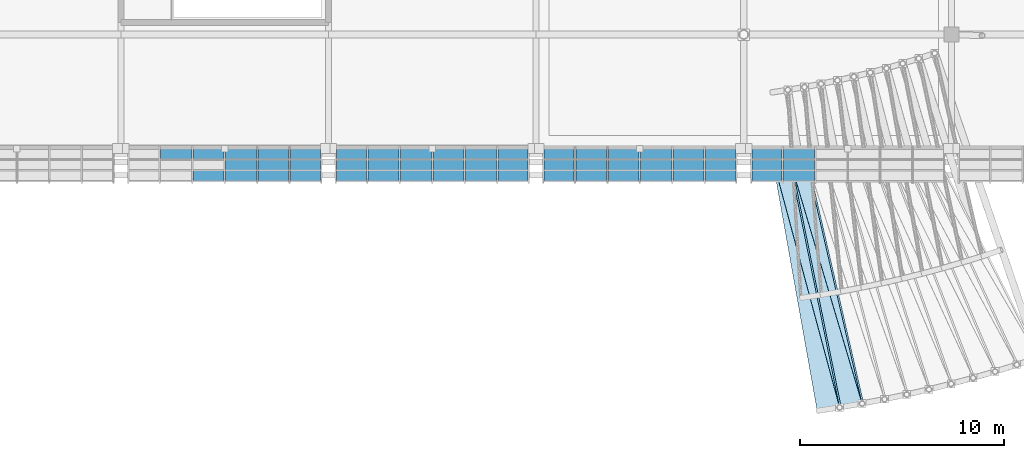
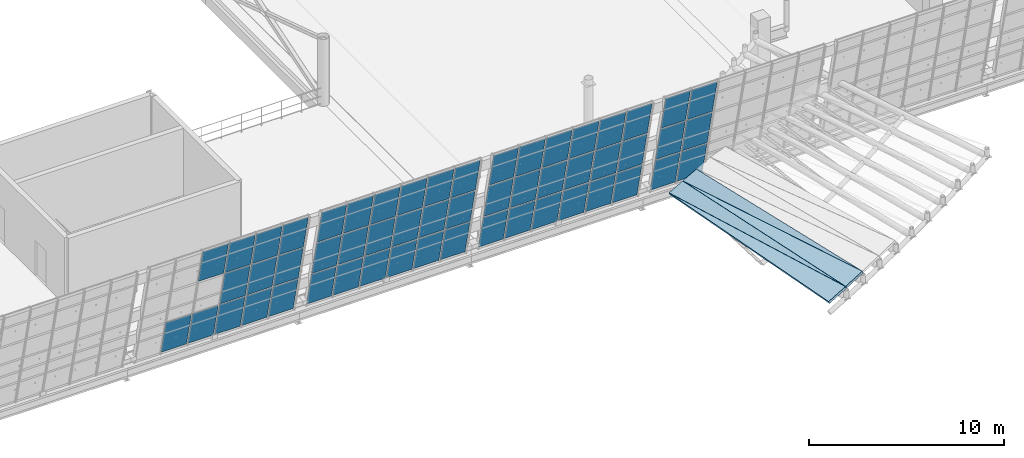
# One storey, part 110 of 157: 54 plates, 4 slabs, 4 elements without a shape of their own.
"""IFC4 building model written with IfcOpenShell, lengths in metres."""

from ifc_helpers import new_model, si_unit, direction, frame, origin, place, context, subcontext, project, spatial, polyline, outline, extrude, material, layer, layer_set, type_object, element, aggregate, save


model = new_model("IFC4")

# Units and contexts
model_context = context("Model", 3, precision=1e-05, world=origin(), true_north=direction((0.0, 1.0)))
body_context = subcontext(model_context, "Body", "Model", "MODEL_VIEW")
ifc_project = project(units=[si_unit("LENGTHUNIT", "METRE"), si_unit("AREAUNIT", "SQUARE_METRE"), si_unit("VOLUMEUNIT", "CUBIC_METRE"), si_unit("PLANEANGLEUNIT", "RADIAN"), si_unit("MASSUNIT", "GRAM", prefix="KILO")], contexts=[model_context])

# Site, building, storey
site_placement = place(None, origin())
site = spatial("IfcSite", under=ifc_project, at=site_placement, CompositionType="ELEMENT")
building_placement = place(site_placement, origin())
building = spatial("IfcBuilding", under=site, at=building_placement, Name="Brelvane Convention Centre", CompositionType="ELEMENT")
storey_placement = place(building_placement, frame((0.0, 0.0, 10.800048828125)))
storey = spatial("IfcBuildingStorey", under=building, at=storey_placement, Name="L02", CompositionType="ELEMENT", Elevation=10.800048828125)

# Curtain wall, plates
ifc_material_1 = material(Name="Anodised Aluminium Alloy 6063-T6", Category="aluminium")
curtain_wall_type = type_object("IfcCurtainWallType", Name="Curtain Wall CW-HULL-S", PredefinedType="USERDEFINED", material=ifc_material_1)
curtain_wall_1_placement = place(storey_placement, origin())
curtain_wall_1 = element("IfcCurtainWall", 1, at=curtain_wall_1_placement, inside=storey, type_object=curtain_wall_type, Name="Curtain Wall CW-HULL-S L02-HULL-S-L02-13", ObjectType="UNITISED", PredefinedType="USERDEFINED")
ifc_material_2 = material(Name="Double Glazed Low-E Laminated Unit")
ifc_layer_1 = layer(ifc_material_2, 0.0380859375)
ifc_layer_set_1 = layer_set([ifc_layer_1], Name="Double Glazed Low-E Laminated Unit")
plate_type_1 = type_object("IfcPlateType", Name="Curtain Panel CW-PG2", PredefinedType="CURTAIN_PANEL", material=ifc_layer_set_1)
plate_1_placement = place(storey_placement, frame((125.94677734375, 12.51953125, 4.606689453125), z_axis=(0.0, 0.973586933466, 0.228316628794), x_axis=(1.0, 0.0, 0.0)))
plate_1 = element("IfcPlate", 2, at=plate_1_placement, type_object=plate_type_1, Name="CW-HULL-S panel 3.3", PredefinedType="CURTAIN_PANEL", context=body_context, shape_type="SweptSolid", body=[
    extrude(outline(polyline([(0.0, 0.0), (1.51318359375, 0.0), (1.51318359375, -2.2220204521674902), (0.0, -2.2220204521674902), (0.0, 0.0)])), origin(), (0.0, 0.0, -1.0), 0.0380859375),
])
plate_2_placement = place(storey_placement, frame((127.5400390625, 13.05517578125, 2.3232421875), z_axis=(0.0, 0.973573977576, 0.228371868203), x_axis=(1.0, 0.0, 0.0)))
plate_2 = element("IfcPlate", 3, at=plate_2_placement, type_object=plate_type_1, Name="CW-HULL-S panel 4.2", PredefinedType="CURTAIN_PANEL", context=body_context, shape_type="SweptSolid", body=[
    extrude(outline(polyline([(0.0, 0.0), (1.51318359375, 0.0), (1.51318359375, -2.2631758771022032), (0.0, -2.2631758771022032), (0.0, 0.0)])), origin(), (0.0, 0.0, -1.0), 0.0380859375),
])
plate_3_placement = place(storey_placement, frame((127.5400390625, 12.51953125, 4.606689453125), z_axis=(0.0, 0.973586933466, 0.228316628794), x_axis=(1.0, 0.0, 0.0)))
plate_3 = element("IfcPlate", 4, at=plate_3_placement, type_object=plate_type_1, Name="CW-HULL-S panel 4.3", PredefinedType="CURTAIN_PANEL", context=body_context, shape_type="SweptSolid", body=[
    extrude(outline(polyline([(0.0, 0.0), (1.51318359375, 0.0), (1.51318359375, -2.2220204521674902), (0.0, -2.2220204521674902), (0.0, 0.0)])), origin(), (0.0, 0.0, -1.0), 0.0380859375),
])
plate_4_placement = place(storey_placement, frame((129.13330078125, 13.05517578125, 2.3232421875), z_axis=(0.0, 0.973573977576, 0.228371868203), x_axis=(1.0, 0.0, 0.0)))
plate_4 = element("IfcPlate", 5, at=plate_4_placement, type_object=plate_type_1, Name="CW-HULL-S panel 5.2", PredefinedType="CURTAIN_PANEL", context=body_context, shape_type="SweptSolid", body=[
    extrude(outline(polyline([(0.0, 0.0), (1.513427734375, 0.0), (1.513427734375, -2.2631758771022032), (0.0, -2.2631758771022032), (0.0, 0.0)])), origin(), (0.0, 0.0, -1.0), 0.0380859375),
])
plate_5_placement = place(storey_placement, frame((129.13330078125, 12.51953125, 4.606689453125), z_axis=(0.0, 0.973586933466, 0.228316628794), x_axis=(1.0, 0.0, 0.0)))
plate_5 = element("IfcPlate", 6, at=plate_5_placement, type_object=plate_type_1, Name="CW-HULL-S panel 5.3", PredefinedType="CURTAIN_PANEL", context=body_context, shape_type="SweptSolid", body=[
    extrude(outline(polyline([(0.0, 0.0), (1.513427734375, 0.0), (1.513427734375, -2.2220204521674902), (0.0, -2.2220204521674902), (0.0, 0.0)])), origin(), (0.0, 0.0, -1.0), 0.0380859375),
])
plate_6_placement = place(storey_placement, frame((130.7265625, 13.05517578125, 2.3232421875), z_axis=(0.0, 0.973573977576, 0.228371868203), x_axis=(1.0, 0.0, 0.0)))
plate_6 = element("IfcPlate", 7, at=plate_6_placement, type_object=plate_type_1, Name="CW-HULL-S panel 6.2", PredefinedType="CURTAIN_PANEL", context=body_context, shape_type="SweptSolid", body=[
    extrude(outline(polyline([(0.0, 0.0), (1.473388671875, 0.0), (1.473388671875, -2.2631758771022032), (0.0, -2.2631758771022032), (0.0, 0.0)])), origin(), (0.0, 0.0, -1.0), 0.0380859375),
])
plate_7_placement = place(storey_placement, frame((130.7265625, 12.51953125, 4.606689453125), z_axis=(0.0, 0.973586933466, 0.228316628794), x_axis=(1.0, 0.0, 0.0)))
plate_7 = element("IfcPlate", 8, at=plate_7_placement, type_object=plate_type_1, Name="CW-HULL-S panel 6.3", PredefinedType="CURTAIN_PANEL", context=body_context, shape_type="SweptSolid", body=[
    extrude(outline(polyline([(0.0, 0.0), (1.473388671875, 0.0), (1.473388671875, -2.2220204521674902), (0.0, -2.2220204521674902), (0.0, 0.0)])), origin(), (0.0, 0.0, -1.0), 0.0380859375),
])

curtain_wall_2_placement = place(storey_placement, origin())
curtain_wall_2 = element("IfcCurtainWall", 9, at=curtain_wall_2_placement, inside=storey, type_object=curtain_wall_type, Name="Curtain Wall CW-HULL-S L02-HULL-S-L02-14", ObjectType="UNITISED", PredefinedType="USERDEFINED")
plate_8_placement = place(storey_placement, frame((133.0, 13.05517578125, 2.3232421875), z_axis=(0.0, 0.973573977576, 0.228371868203), x_axis=(1.0, 0.0, 0.0)))
plate_8 = element("IfcPlate", 10, at=plate_8_placement, type_object=plate_type_1, Name="CW-HULL-S panel 1.2", PredefinedType="CURTAIN_PANEL", context=body_context, shape_type="SweptSolid", body=[
    extrude(outline(polyline([(0.0, 0.0), (1.473388671875, 0.0), (1.473388671875, -2.2631758771022032), (0.0, -2.2631758771022032), (0.0, 0.0)])), origin(), (0.0, 0.0, -1.0), 0.0380859375),
])
plate_9_placement = place(storey_placement, frame((133.0, 12.51953125, 4.606689453125), z_axis=(0.0, 0.973586933466, 0.228316628794), x_axis=(1.0, 0.0, 0.0)))
plate_9 = element("IfcPlate", 11, at=plate_9_placement, type_object=plate_type_1, Name="CW-HULL-S panel 1.3", PredefinedType="CURTAIN_PANEL", context=body_context, shape_type="SweptSolid", body=[
    extrude(outline(polyline([(0.0, 0.0), (1.473388671875, 0.0), (1.473388671875, -2.2220204521674902), (0.0, -2.2220204521674902), (0.0, 0.0)])), origin(), (0.0, 0.0, -1.0), 0.0380859375),
])
plate_10_placement = place(storey_placement, frame((134.55322265625, 13.05517578125, 2.3232421875), z_axis=(0.0, 0.973573977576, 0.228371868203), x_axis=(1.0, 0.0, 0.0)))
plate_10 = element("IfcPlate", 12, at=plate_10_placement, type_object=plate_type_1, Name="CW-HULL-S panel 2.2", PredefinedType="CURTAIN_PANEL", context=body_context, shape_type="SweptSolid", body=[
    extrude(outline(polyline([(0.0, 0.0), (1.513427734375, 0.0), (1.513427734375, -2.2631758771022032), (0.0, -2.2631758771022032), (0.0, 0.0)])), origin(), (0.0, 0.0, -1.0), 0.0380859375),
])
plate_11_placement = place(storey_placement, frame((134.55322265625, 12.51953125, 4.606689453125), z_axis=(0.0, 0.973586933466, 0.228316628794), x_axis=(1.0, 0.0, 0.0)))
plate_11 = element("IfcPlate", 13, at=plate_11_placement, type_object=plate_type_1, Name="CW-HULL-S panel 2.3", PredefinedType="CURTAIN_PANEL", context=body_context, shape_type="SweptSolid", body=[
    extrude(outline(polyline([(0.0, 0.0), (1.513427734375, 0.0), (1.513427734375, -2.2220204521674902), (0.0, -2.2220204521674902), (0.0, 0.0)])), origin(), (0.0, 0.0, -1.0), 0.0380859375),
])
plate_12_placement = place(storey_placement, frame((136.146728515625, 13.05517578125, 2.3232421875), z_axis=(0.0, 0.973573977576, 0.228371868203), x_axis=(1.0, 0.0, 0.0)))
plate_12 = element("IfcPlate", 14, at=plate_12_placement, type_object=plate_type_1, Name="CW-HULL-S panel 3.2", PredefinedType="CURTAIN_PANEL", context=body_context, shape_type="SweptSolid", body=[
    extrude(outline(polyline([(0.0, 0.0), (1.51318359375, 0.0), (1.51318359375, -2.2631758771022032), (0.0, -2.2631758771022032), (0.0, 0.0)])), origin(), (0.0, 0.0, -1.0), 0.0380859375),
])
plate_13_placement = place(storey_placement, frame((136.146728515625, 12.51953125, 4.606689453125), z_axis=(0.0, 0.973586933466, 0.228316628794), x_axis=(1.0, 0.0, 0.0)))
plate_13 = element("IfcPlate", 15, at=plate_13_placement, type_object=plate_type_1, Name="CW-HULL-S panel 3.3", PredefinedType="CURTAIN_PANEL", context=body_context, shape_type="SweptSolid", body=[
    extrude(outline(polyline([(0.0, 0.0), (1.51318359375, 0.0), (1.51318359375, -2.2220204521674902), (0.0, -2.2220204521674902), (0.0, 0.0)])), origin(), (0.0, 0.0, -1.0), 0.0380859375),
])
plate_14_placement = place(storey_placement, frame((137.739990234375, 13.05517578125, 2.3232421875), z_axis=(0.0, 0.973573977576, 0.228371868203), x_axis=(1.0, 0.0, 0.0)))
plate_14 = element("IfcPlate", 16, at=plate_14_placement, type_object=plate_type_1, Name="CW-HULL-S panel 4.2", PredefinedType="CURTAIN_PANEL", context=body_context, shape_type="SweptSolid", body=[
    extrude(outline(polyline([(0.0, 0.0), (1.513427734375, 0.0), (1.513427734375, -2.2631758771022032), (0.0, -2.2631758771022032), (0.0, 0.0)])), origin(), (0.0, 0.0, -1.0), 0.0380859375),
])
plate_15_placement = place(storey_placement, frame((137.739990234375, 12.51953125, 4.606689453125), z_axis=(0.0, 0.973586933466, 0.228316628794), x_axis=(1.0, 0.0, 0.0)))
plate_15 = element("IfcPlate", 17, at=plate_15_placement, type_object=plate_type_1, Name="CW-HULL-S panel 4.3", PredefinedType="CURTAIN_PANEL", context=body_context, shape_type="SweptSolid", body=[
    extrude(outline(polyline([(0.0, 0.0), (1.513427734375, 0.0), (1.513427734375, -2.2220204521674902), (0.0, -2.2220204521674902), (0.0, 0.0)])), origin(), (0.0, 0.0, -1.0), 0.0380859375),
])
plate_16_placement = place(storey_placement, frame((139.333251953125, 13.05517578125, 2.3232421875), z_axis=(0.0, 0.973573977576, 0.228371868203), x_axis=(1.0, 0.0, 0.0)))
plate_16 = element("IfcPlate", 18, at=plate_16_placement, type_object=plate_type_1, Name="CW-HULL-S panel 5.2", PredefinedType="CURTAIN_PANEL", context=body_context, shape_type="SweptSolid", body=[
    extrude(outline(polyline([(0.0, 0.0), (1.513427734375, 0.0), (1.513427734375, -2.2631758771022032), (0.0, -2.2631758771022032), (0.0, 0.0)])), origin(), (0.0, 0.0, -1.0), 0.0380859375),
])
plate_17_placement = place(storey_placement, frame((139.333251953125, 12.51953125, 4.606689453125), z_axis=(0.0, 0.973586933466, 0.228316628794), x_axis=(1.0, 0.0, 0.0)))
plate_17 = element("IfcPlate", 19, at=plate_17_placement, type_object=plate_type_1, Name="CW-HULL-S panel 5.3", PredefinedType="CURTAIN_PANEL", context=body_context, shape_type="SweptSolid", body=[
    extrude(outline(polyline([(0.0, 0.0), (1.513427734375, 0.0), (1.513427734375, -2.2220204521674902), (0.0, -2.2220204521674902), (0.0, 0.0)])), origin(), (0.0, 0.0, -1.0), 0.0380859375),
])
plate_18_placement = place(storey_placement, frame((140.9267578125, 13.05517578125, 2.3232421875), z_axis=(0.0, 0.973573977576, 0.228371868203), x_axis=(1.0, 0.0, 0.0)))
plate_18 = element("IfcPlate", 20, at=plate_18_placement, type_object=plate_type_1, Name="CW-HULL-S panel 6.2", PredefinedType="CURTAIN_PANEL", context=body_context, shape_type="SweptSolid", body=[
    extrude(outline(polyline([(0.0, 0.0), (1.47314453125, 0.0), (1.47314453125, -2.2631758771022032), (0.0, -2.2631758771022032), (0.0, 0.0)])), origin(), (0.0, 0.0, -1.0), 0.0380859375),
])
plate_19_placement = place(storey_placement, frame((140.9267578125, 12.51953125, 4.606689453125), z_axis=(0.0, 0.973586933466, 0.228316628794), x_axis=(1.0, 0.0, 0.0)))
plate_19 = element("IfcPlate", 21, at=plate_19_placement, type_object=plate_type_1, Name="CW-HULL-S panel 6.3", PredefinedType="CURTAIN_PANEL", context=body_context, shape_type="SweptSolid", body=[
    extrude(outline(polyline([(0.0, 0.0), (1.47314453125, 0.0), (1.47314453125, -2.2220204521674902), (0.0, -2.2220204521674902), (0.0, 0.0)])), origin(), (0.0, 0.0, -1.0), 0.0380859375),
])

curtain_wall_3_placement = place(storey_placement, origin())
curtain_wall_3 = element("IfcCurtainWall", 22, at=curtain_wall_3_placement, inside=storey, type_object=curtain_wall_type, Name="Curtain Wall CW-HULL-S L02-HULL-S-L02-15", ObjectType="UNITISED", PredefinedType="USERDEFINED")
plate_20_placement = place(storey_placement, frame((143.199951171875, 13.05517578125, 2.3232421875), z_axis=(0.0, 0.973573977576, 0.228371868203), x_axis=(1.0, 0.0, 0.0)))
plate_20 = element("IfcPlate", 23, at=plate_20_placement, type_object=plate_type_1, Name="CW-HULL-S panel 1.2", PredefinedType="CURTAIN_PANEL", context=body_context, shape_type="SweptSolid", body=[
    extrude(outline(polyline([(0.0, 0.0), (1.473388671875, 0.0), (1.473388671875, -2.2631758771022032), (0.0, -2.2631758771022032), (0.0, 0.0)])), origin(), (0.0, 0.0, -1.0), 0.0380859375),
])
plate_21_placement = place(storey_placement, frame((143.199951171875, 12.51953125, 4.606689453125), z_axis=(0.0, 0.973586933466, 0.228316628794), x_axis=(1.0, 0.0, 0.0)))
plate_21 = element("IfcPlate", 24, at=plate_21_placement, type_object=plate_type_1, Name="CW-HULL-S panel 1.3", PredefinedType="CURTAIN_PANEL", context=body_context, shape_type="SweptSolid", body=[
    extrude(outline(polyline([(0.0, 0.0), (1.473388671875, 0.0), (1.473388671875, -2.2220204521674902), (0.0, -2.2220204521674902), (0.0, 0.0)])), origin(), (0.0, 0.0, -1.0), 0.0380859375),
])
plate_22_placement = place(storey_placement, frame((144.75341796875, 13.05517578125, 2.3232421875), z_axis=(0.0, 0.973573977576, 0.228371868203), x_axis=(1.0, 0.0, 0.0)))
plate_22 = element("IfcPlate", 25, at=plate_22_placement, type_object=plate_type_1, Name="CW-HULL-S panel 2.2", PredefinedType="CURTAIN_PANEL", context=body_context, shape_type="SweptSolid", body=[
    extrude(outline(polyline([(0.0, 0.0), (1.51318359375, 0.0), (1.51318359375, -2.2631758771022032), (0.0, -2.2631758771022032), (0.0, 0.0)])), origin(), (0.0, 0.0, -1.0), 0.0380859375),
])
plate_23_placement = place(storey_placement, frame((144.75341796875, 12.51953125, 4.606689453125), z_axis=(0.0, 0.973586933466, 0.228316628794), x_axis=(1.0, 0.0, 0.0)))
plate_23 = element("IfcPlate", 26, at=plate_23_placement, type_object=plate_type_1, Name="CW-HULL-S panel 2.3", PredefinedType="CURTAIN_PANEL", context=body_context, shape_type="SweptSolid", body=[
    extrude(outline(polyline([(0.0, 0.0), (1.51318359375, 0.0), (1.51318359375, -2.2220204521674902), (0.0, -2.2220204521674902), (0.0, 0.0)])), origin(), (0.0, 0.0, -1.0), 0.0380859375),
])
plate_24_placement = place(storey_placement, frame((146.3466796875, 13.05517578125, 2.3232421875), z_axis=(0.0, 0.973573977576, 0.228371868203), x_axis=(1.0, 0.0, 0.0)))
plate_24 = element("IfcPlate", 27, at=plate_24_placement, type_object=plate_type_1, Name="CW-HULL-S panel 3.2", PredefinedType="CURTAIN_PANEL", context=body_context, shape_type="SweptSolid", body=[
    extrude(outline(polyline([(0.0, 0.0), (1.513427734375, 0.0), (1.513427734375, -2.2631758771022032), (0.0, -2.2631758771022032), (0.0, 0.0)])), origin(), (0.0, 0.0, -1.0), 0.0380859375),
])
plate_25_placement = place(storey_placement, frame((146.3466796875, 12.51953125, 4.606689453125), z_axis=(0.0, 0.973586933466, 0.228316628794), x_axis=(1.0, 0.0, 0.0)))
plate_25 = element("IfcPlate", 28, at=plate_25_placement, type_object=plate_type_1, Name="CW-HULL-S panel 3.3", PredefinedType="CURTAIN_PANEL", context=body_context, shape_type="SweptSolid", body=[
    extrude(outline(polyline([(0.0, 0.0), (1.513427734375, 0.0), (1.513427734375, -2.2220204521674902), (0.0, -2.2220204521674902), (0.0, 0.0)])), origin(), (0.0, 0.0, -1.0), 0.0380859375),
])
plate_26_placement = place(storey_placement, frame((147.93994140625, 13.05517578125, 2.3232421875), z_axis=(0.0, 0.973573977576, 0.228371868203), x_axis=(1.0, 0.0, 0.0)))
plate_26 = element("IfcPlate", 29, at=plate_26_placement, type_object=plate_type_1, Name="CW-HULL-S panel 4.2", PredefinedType="CURTAIN_PANEL", context=body_context, shape_type="SweptSolid", body=[
    extrude(outline(polyline([(0.0, 0.0), (1.513427734375, 0.0), (1.513427734375, -2.2631758771022032), (0.0, -2.2631758771022032), (0.0, 0.0)])), origin(), (0.0, 0.0, -1.0), 0.0380859375),
])
plate_27_placement = place(storey_placement, frame((147.93994140625, 12.51953125, 4.606689453125), z_axis=(0.0, 0.973586933466, 0.228316628794), x_axis=(1.0, 0.0, 0.0)))
plate_27 = element("IfcPlate", 30, at=plate_27_placement, type_object=plate_type_1, Name="CW-HULL-S panel 4.3", PredefinedType="CURTAIN_PANEL", context=body_context, shape_type="SweptSolid", body=[
    extrude(outline(polyline([(0.0, 0.0), (1.513427734375, 0.0), (1.513427734375, -2.2220204521674902), (0.0, -2.2220204521674902), (0.0, 0.0)])), origin(), (0.0, 0.0, -1.0), 0.0380859375),
])
plate_28_placement = place(storey_placement, frame((149.533447265625, 13.05517578125, 2.3232421875), z_axis=(0.0, 0.973573977576, 0.228371868203), x_axis=(1.0, 0.0, 0.0)))
plate_28 = element("IfcPlate", 31, at=plate_28_placement, type_object=plate_type_1, Name="CW-HULL-S panel 5.2", PredefinedType="CURTAIN_PANEL", context=body_context, shape_type="SweptSolid", body=[
    extrude(outline(polyline([(0.0, 0.0), (1.51318359375, 0.0), (1.51318359375, -2.2631758771022032), (0.0, -2.2631758771022032), (0.0, 0.0)])), origin(), (0.0, 0.0, -1.0), 0.0380859375),
])
plate_29_placement = place(storey_placement, frame((149.533447265625, 12.51953125, 4.606689453125), z_axis=(0.0, 0.973586933466, 0.228316628794), x_axis=(1.0, 0.0, 0.0)))
plate_29 = element("IfcPlate", 32, at=plate_29_placement, type_object=plate_type_1, Name="CW-HULL-S panel 5.3", PredefinedType="CURTAIN_PANEL", context=body_context, shape_type="SweptSolid", body=[
    extrude(outline(polyline([(0.0, 0.0), (1.51318359375, 0.0), (1.51318359375, -2.2220204521674902), (0.0, -2.2220204521674902), (0.0, 0.0)])), origin(), (0.0, 0.0, -1.0), 0.0380859375),
])
plate_30_placement = place(storey_placement, frame((151.126708984375, 13.05517578125, 2.3232421875), z_axis=(0.0, 0.973573977576, 0.228371868203), x_axis=(1.0, 0.0, 0.0)))
plate_30 = element("IfcPlate", 33, at=plate_30_placement, type_object=plate_type_1, Name="CW-HULL-S panel 6.2", PredefinedType="CURTAIN_PANEL", context=body_context, shape_type="SweptSolid", body=[
    extrude(outline(polyline([(0.0, 0.0), (1.473388671875, 0.0), (1.473388671875, -2.2631758771022032), (0.0, -2.2631758771022032), (0.0, 0.0)])), origin(), (0.0, 0.0, -1.0), 0.0380859375),
])
plate_31_placement = place(storey_placement, frame((151.126708984375, 12.51953125, 4.606689453125), z_axis=(0.0, 0.973586933466, 0.228316628794), x_axis=(1.0, 0.0, 0.0)))
plate_31 = element("IfcPlate", 34, at=plate_31_placement, type_object=plate_type_1, Name="CW-HULL-S panel 6.3", PredefinedType="CURTAIN_PANEL", context=body_context, shape_type="SweptSolid", body=[
    extrude(outline(polyline([(0.0, 0.0), (1.473388671875, 0.0), (1.473388671875, -2.2220204521674902), (0.0, -2.2220204521674902), (0.0, 0.0)])), origin(), (0.0, 0.0, -1.0), 0.0380859375),
])

curtain_wall_4_placement = place(storey_placement, origin())
curtain_wall_4 = element("IfcCurtainWall", 35, at=curtain_wall_4_placement, inside=storey, type_object=curtain_wall_type, Name="Curtain Wall CW-HULL-S L02-HULL-S-L02-16", ObjectType="UNITISED", PredefinedType="USERDEFINED")
plate_32_placement = place(storey_placement, frame((153.39990234375, 13.05517578125, 2.3232421875), z_axis=(0.0, 0.973573977576, 0.228371868203), x_axis=(1.0, 0.0, 0.0)))
plate_32 = element("IfcPlate", 36, at=plate_32_placement, type_object=plate_type_1, Name="CW-HULL-S panel 1.2", PredefinedType="CURTAIN_PANEL", context=body_context, shape_type="SweptSolid", body=[
    extrude(outline(polyline([(0.0, 0.0), (1.473388671875, 0.0), (1.473388671875, -2.2631758771022032), (0.0, -2.2631758771022032), (0.0, 0.0)])), origin(), (0.0, 0.0, -1.0), 0.0380859375),
])
plate_33_placement = place(storey_placement, frame((153.39990234375, 12.51953125, 4.606689453125), z_axis=(0.0, 0.973586933466, 0.228316628794), x_axis=(1.0, 0.0, 0.0)))
plate_33 = element("IfcPlate", 37, at=plate_33_placement, type_object=plate_type_1, Name="CW-HULL-S panel 1.3", PredefinedType="CURTAIN_PANEL", context=body_context, shape_type="SweptSolid", body=[
    extrude(outline(polyline([(0.0, 0.0), (1.473388671875, 0.0), (1.473388671875, -2.2220204521674902), (0.0, -2.2220204521674902), (0.0, 0.0)])), origin(), (0.0, 0.0, -1.0), 0.0380859375),
])
plate_34_placement = place(storey_placement, frame((154.953369140625, 13.05517578125, 2.3232421875), z_axis=(0.0, 0.973573977576, 0.228371868203), x_axis=(1.0, 0.0, 0.0)))
plate_34 = element("IfcPlate", 38, at=plate_34_placement, type_object=plate_type_1, Name="CW-HULL-S panel 2.2", PredefinedType="CURTAIN_PANEL", context=body_context, shape_type="SweptSolid", body=[
    extrude(outline(polyline([(0.0, 0.0), (1.51318359375, 0.0), (1.51318359375, -2.2631758771022032), (0.0, -2.2631758771022032), (0.0, 0.0)])), origin(), (0.0, 0.0, -1.0), 0.0380859375),
])
plate_35_placement = place(storey_placement, frame((154.953369140625, 12.51953125, 4.606689453125), z_axis=(0.0, 0.973586933466, 0.228316628794), x_axis=(1.0, 0.0, 0.0)))
plate_35 = element("IfcPlate", 39, at=plate_35_placement, type_object=plate_type_1, Name="CW-HULL-S panel 2.3", PredefinedType="CURTAIN_PANEL", context=body_context, shape_type="SweptSolid", body=[
    extrude(outline(polyline([(0.0, 0.0), (1.51318359375, 0.0), (1.51318359375, -2.2220204521674902), (0.0, -2.2220204521674902), (0.0, 0.0)])), origin(), (0.0, 0.0, -1.0), 0.0380859375),
])

# Plate
ifc_material_3 = material(Name="Patinated Copper-Bronze Alloy C22000")
ifc_layer_2 = layer(ifc_material_3, 0.055908203125)
ifc_layer_set_2 = layer_set([ifc_layer_2], Name="Patinated Copper-Bronze Alloy C22000")
plate_type_2 = type_object("IfcPlateType", Name="Curtain Panel CW-PS2", PredefinedType="CURTAIN_PANEL", material=ifc_layer_set_2)
plate_36_placement = place(storey_placement, frame((124.353271484375, 13.581298828125, 0.079833984375), z_axis=(0.0, 0.973562505213, 0.228420770606), x_axis=(1.0, 0.0, 0.0)))
plate_36 = element("IfcPlate", 40, at=plate_36_placement, type_object=plate_type_2, Name="CW-HULL-S panel 2.1", PredefinedType="CURTAIN_PANEL", context=body_context, shape_type="SweptSolid", body=[
    extrude(outline(polyline([(0.0, 0.0), (1.513427734375, 0.0), (1.513427734375, -2.2220762062447244), (0.0, -2.2220762062447244), (0.0, 0.0)])), origin(), (0.0, 0.0, -1.0), 0.0380859375),
])

plate_37_placement = place(storey_placement, frame((125.94677734375, 13.581298828125, 0.079833984375), z_axis=(0.0, 0.973562505213, 0.228420770606), x_axis=(1.0, 0.0, 0.0)))
plate_37 = element("IfcPlate", 41, at=plate_37_placement, type_object=plate_type_2, Name="CW-HULL-S panel 3.1", PredefinedType="CURTAIN_PANEL", context=body_context, shape_type="SweptSolid", body=[
    extrude(outline(polyline([(0.0, 0.0), (1.51318359375, 0.0), (1.51318359375, -2.2220762062447244), (0.0, -2.2220762062447244), (0.0, 0.0)])), origin(), (0.0, 0.0, -1.0), 0.0380859375),
])

plate_38_placement = place(storey_placement, frame((127.5400390625, 13.581298828125, 0.079833984375), z_axis=(0.0, 0.973562505213, 0.228420770606), x_axis=(1.0, 0.0, 0.0)))
plate_38 = element("IfcPlate", 42, at=plate_38_placement, type_object=plate_type_2, Name="CW-HULL-S panel 4.1", PredefinedType="CURTAIN_PANEL", context=body_context, shape_type="SweptSolid", body=[
    extrude(outline(polyline([(0.0, 0.0), (1.51318359375, 0.0), (1.51318359375, -2.2220762062447244), (0.0, -2.2220762062447244), (0.0, 0.0)])), origin(), (0.0, 0.0, -1.0), 0.0380859375),
])

plate_39_placement = place(storey_placement, frame((129.13330078125, 13.581298828125, 0.079833984375), z_axis=(0.0, 0.973562505213, 0.228420770606), x_axis=(1.0, 0.0, 0.0)))
plate_39 = element("IfcPlate", 43, at=plate_39_placement, type_object=plate_type_2, Name="CW-HULL-S panel 5.1", PredefinedType="CURTAIN_PANEL", context=body_context, shape_type="SweptSolid", body=[
    extrude(outline(polyline([(0.0, 0.0), (1.513427734375, 0.0), (1.513427734375, -2.2220762062447244), (0.0, -2.2220762062447244), (0.0, 0.0)])), origin(), (0.0, 0.0, -1.0), 0.0380859375),
])

plate_40_placement = place(storey_placement, frame((130.7265625, 13.581298828125, 0.079833984375), z_axis=(0.0, 0.973562505213, 0.228420770606), x_axis=(1.0, 0.0, 0.0)))
plate_40 = element("IfcPlate", 44, at=plate_40_placement, type_object=plate_type_2, Name="CW-HULL-S panel 6.1", PredefinedType="CURTAIN_PANEL", context=body_context, shape_type="SweptSolid", body=[
    extrude(outline(polyline([(0.0, 0.0), (1.473388671875, 0.0), (1.473388671875, -2.222076206244725), (0.0, -2.222076206244725), (0.0, 0.0)])), origin(), (0.0, 0.0, -1.0), 0.0380859375),
])

aggregate(curtain_wall_1, [plate_36, plate_37, plate_1, plate_38, plate_2, plate_3, plate_39, plate_4, plate_5, plate_40, plate_6, plate_7])

plate_41_placement = place(storey_placement, frame((133.0, 13.581298828125, 0.079833984375), z_axis=(0.0, 0.973562505213, 0.228420770606), x_axis=(1.0, 0.0, 0.0)))
plate_41 = element("IfcPlate", 45, at=plate_41_placement, type_object=plate_type_2, Name="CW-HULL-S panel 1.1", PredefinedType="CURTAIN_PANEL", context=body_context, shape_type="SweptSolid", body=[
    extrude(outline(polyline([(0.0, 0.0), (1.473388671875, 0.0), (1.473388671875, -2.222076206244725), (0.0, -2.222076206244725), (0.0, 0.0)])), origin(), (0.0, 0.0, -1.0), 0.0380859375),
])

plate_42_placement = place(storey_placement, frame((134.55322265625, 13.581298828125, 0.079833984375), z_axis=(0.0, 0.973562505213, 0.228420770606), x_axis=(1.0, 0.0, 0.0)))
plate_42 = element("IfcPlate", 46, at=plate_42_placement, type_object=plate_type_2, Name="CW-HULL-S panel 2.1", PredefinedType="CURTAIN_PANEL", context=body_context, shape_type="SweptSolid", body=[
    extrude(outline(polyline([(0.0, 0.0), (1.513427734375, 0.0), (1.513427734375, -2.2220762062447244), (0.0, -2.2220762062447244), (0.0, 0.0)])), origin(), (0.0, 0.0, -1.0), 0.0380859375),
])

plate_43_placement = place(storey_placement, frame((136.146728515625, 13.581298828125, 0.079833984375), z_axis=(0.0, 0.973562505213, 0.228420770606), x_axis=(1.0, 0.0, 0.0)))
plate_43 = element("IfcPlate", 47, at=plate_43_placement, type_object=plate_type_2, Name="CW-HULL-S panel 3.1", PredefinedType="CURTAIN_PANEL", context=body_context, shape_type="SweptSolid", body=[
    extrude(outline(polyline([(0.0, 0.0), (1.51318359375, 0.0), (1.51318359375, -2.2220762062447244), (0.0, -2.2220762062447244), (0.0, 0.0)])), origin(), (0.0, 0.0, -1.0), 0.0380859375),
])

plate_44_placement = place(storey_placement, frame((137.739990234375, 13.581298828125, 0.079833984375), z_axis=(0.0, 0.973562505213, 0.228420770606), x_axis=(1.0, 0.0, 0.0)))
plate_44 = element("IfcPlate", 48, at=plate_44_placement, type_object=plate_type_2, Name="CW-HULL-S panel 4.1", PredefinedType="CURTAIN_PANEL", context=body_context, shape_type="SweptSolid", body=[
    extrude(outline(polyline([(0.0, 0.0), (1.513427734375, 0.0), (1.513427734375, -2.2220762062447244), (0.0, -2.2220762062447244), (0.0, 0.0)])), origin(), (0.0, 0.0, -1.0), 0.0380859375),
])

plate_45_placement = place(storey_placement, frame((139.333251953125, 13.581298828125, 0.079833984375), z_axis=(0.0, 0.973562505213, 0.228420770606), x_axis=(1.0, 0.0, 0.0)))
plate_45 = element("IfcPlate", 49, at=plate_45_placement, type_object=plate_type_2, Name="CW-HULL-S panel 5.1", PredefinedType="CURTAIN_PANEL", context=body_context, shape_type="SweptSolid", body=[
    extrude(outline(polyline([(0.0, 0.0), (1.513427734375, 0.0), (1.513427734375, -2.2220762062447244), (0.0, -2.2220762062447244), (0.0, 0.0)])), origin(), (0.0, 0.0, -1.0), 0.0380859375),
])

plate_46_placement = place(storey_placement, frame((140.9267578125, 13.581298828125, 0.079833984375), z_axis=(0.0, 0.973562505213, 0.228420770606), x_axis=(1.0, 0.0, 0.0)))
plate_46 = element("IfcPlate", 50, at=plate_46_placement, type_object=plate_type_2, Name="CW-HULL-S panel 6.1", PredefinedType="CURTAIN_PANEL", context=body_context, shape_type="SweptSolid", body=[
    extrude(outline(polyline([(0.0, 0.0), (1.47314453125, 0.0), (1.47314453125, -2.222076206244725), (0.0, -2.222076206244725), (0.0, 0.0)])), origin(), (0.0, 0.0, -1.0), 0.0380859375),
])

aggregate(curtain_wall_2, [plate_41, plate_8, plate_9, plate_42, plate_10, plate_11, plate_43, plate_12, plate_13, plate_44, plate_14, plate_15, plate_45, plate_16, plate_17, plate_46, plate_18, plate_19])

plate_47_placement = place(storey_placement, frame((143.199951171875, 13.581298828125, 0.079833984375), z_axis=(0.0, 0.973562505213, 0.228420770606), x_axis=(1.0, 0.0, 0.0)))
plate_47 = element("IfcPlate", 51, at=plate_47_placement, type_object=plate_type_2, Name="CW-HULL-S panel 1.1", PredefinedType="CURTAIN_PANEL", context=body_context, shape_type="SweptSolid", body=[
    extrude(outline(polyline([(0.0, 0.0), (1.473388671875, 0.0), (1.473388671875, -2.222076206244725), (0.0, -2.222076206244725), (0.0, 0.0)])), origin(), (0.0, 0.0, -1.0), 0.0380859375),
])

plate_48_placement = place(storey_placement, frame((144.75341796875, 13.581298828125, 0.079833984375), z_axis=(0.0, 0.973562505213, 0.228420770606), x_axis=(1.0, 0.0, 0.0)))
plate_48 = element("IfcPlate", 52, at=plate_48_placement, type_object=plate_type_2, Name="CW-HULL-S panel 2.1", PredefinedType="CURTAIN_PANEL", context=body_context, shape_type="SweptSolid", body=[
    extrude(outline(polyline([(0.0, 0.0), (1.51318359375, 0.0), (1.51318359375, -2.2220762062447244), (0.0, -2.2220762062447244), (0.0, 0.0)])), origin(), (0.0, 0.0, -1.0), 0.0380859375),
])

plate_49_placement = place(storey_placement, frame((146.3466796875, 13.581298828125, 0.079833984375), z_axis=(0.0, 0.973562505213, 0.228420770606), x_axis=(1.0, 0.0, 0.0)))
plate_49 = element("IfcPlate", 53, at=plate_49_placement, type_object=plate_type_2, Name="CW-HULL-S panel 3.1", PredefinedType="CURTAIN_PANEL", context=body_context, shape_type="SweptSolid", body=[
    extrude(outline(polyline([(0.0, 0.0), (1.513427734375, 0.0), (1.513427734375, -2.2220762062447244), (0.0, -2.2220762062447244), (0.0, 0.0)])), origin(), (0.0, 0.0, -1.0), 0.0380859375),
])

plate_50_placement = place(storey_placement, frame((147.93994140625, 13.581298828125, 0.079833984375), z_axis=(0.0, 0.973562505213, 0.228420770606), x_axis=(1.0, 0.0, 0.0)))
plate_50 = element("IfcPlate", 54, at=plate_50_placement, type_object=plate_type_2, Name="CW-HULL-S panel 4.1", PredefinedType="CURTAIN_PANEL", context=body_context, shape_type="SweptSolid", body=[
    extrude(outline(polyline([(0.0, 0.0), (1.513427734375, 0.0), (1.513427734375, -2.2220762062447244), (0.0, -2.2220762062447244), (0.0, 0.0)])), origin(), (0.0, 0.0, -1.0), 0.0380859375),
])

plate_51_placement = place(storey_placement, frame((149.533447265625, 13.581298828125, 0.079833984375), z_axis=(0.0, 0.973562505213, 0.228420770606), x_axis=(1.0, 0.0, 0.0)))
plate_51 = element("IfcPlate", 55, at=plate_51_placement, type_object=plate_type_2, Name="CW-HULL-S panel 5.1", PredefinedType="CURTAIN_PANEL", context=body_context, shape_type="SweptSolid", body=[
    extrude(outline(polyline([(0.0, 0.0), (1.51318359375, 0.0), (1.51318359375, -2.2220762062447244), (0.0, -2.2220762062447244), (0.0, 0.0)])), origin(), (0.0, 0.0, -1.0), 0.0380859375),
])

plate_52_placement = place(storey_placement, frame((151.126708984375, 13.581298828125, 0.079833984375), z_axis=(0.0, 0.973562505213, 0.228420770606), x_axis=(1.0, 0.0, 0.0)))
plate_52 = element("IfcPlate", 56, at=plate_52_placement, type_object=plate_type_2, Name="CW-HULL-S panel 6.1", PredefinedType="CURTAIN_PANEL", context=body_context, shape_type="SweptSolid", body=[
    extrude(outline(polyline([(0.0, 0.0), (1.473388671875, 0.0), (1.473388671875, -2.222076206244725), (0.0, -2.222076206244725), (0.0, 0.0)])), origin(), (0.0, 0.0, -1.0), 0.0380859375),
])

aggregate(curtain_wall_3, [plate_47, plate_20, plate_21, plate_48, plate_22, plate_23, plate_49, plate_24, plate_25, plate_50, plate_26, plate_27, plate_51, plate_28, plate_29, plate_52, plate_30, plate_31])

plate_53_placement = place(storey_placement, frame((153.39990234375, 13.581298828125, 0.079833984375), z_axis=(0.0, 0.973562505213, 0.228420770606), x_axis=(1.0, 0.0, 0.0)))
plate_53 = element("IfcPlate", 57, at=plate_53_placement, type_object=plate_type_2, Name="CW-HULL-S panel 1.1", PredefinedType="CURTAIN_PANEL", context=body_context, shape_type="SweptSolid", body=[
    extrude(outline(polyline([(0.0, 0.0), (1.473388671875, 0.0), (1.473388671875, -2.222076206244725), (0.0, -2.222076206244725), (0.0, 0.0)])), origin(), (0.0, 0.0, -1.0), 0.0380859375),
])

plate_54_placement = place(storey_placement, frame((154.953369140625, 13.581298828125, 0.079833984375), z_axis=(0.0, 0.973562505213, 0.228420770606), x_axis=(1.0, 0.0, 0.0)))
plate_54 = element("IfcPlate", 58, at=plate_54_placement, type_object=plate_type_2, Name="CW-HULL-S panel 2.1", PredefinedType="CURTAIN_PANEL", context=body_context, shape_type="SweptSolid", body=[
    extrude(outline(polyline([(0.0, 0.0), (1.51318359375, 0.0), (1.51318359375, -2.2220762062447244), (0.0, -2.2220762062447244), (0.0, 0.0)])), origin(), (0.0, 0.0, -1.0), 0.0380859375),
])

aggregate(curtain_wall_4, [plate_53, plate_32, plate_33, plate_54, plate_34, plate_35])

# Slabs
ifc_material_4 = material(Name="Steel E350 (350 MPa)", Category="steel")
ifc_layer_3 = layer(ifc_material_4, 0.159912109375)
ifc_layer_set_3 = layer_set([ifc_layer_3], Name="Steel E350 (350 MPa)")
slab_type = type_object("IfcSlabType", Name="Structural Slab SL-ROOF-CN-160", PredefinedType="ROOF", material=ifc_layer_set_3)
slab_1_placement = place(storey_placement, frame((155.991455078125, 13.3056640625, 0.64111328125), z_axis=(-0.487857969527, -0.11242232056, 0.865653408362), x_axis=(0.224654195851, -0.97443855058, 5.8564702e-05)))
element("IfcSlab", 59, at=slab_1_placement, inside=storey, type_object=slab_type, Name="Boulevard Sweeping Canopy Roof Panel 11A", PredefinedType="ROOF", context=body_context, shape_type="SweptSolid", body=[
    extrude(outline(polyline([(0.0, 0.0), (12.506200037183955, 5.479557779741739e-16), (-0.1834926186308235, -0.907989143233112), (0.0, 0.0)])), origin(), (0.0, 0.0, -1.0), 0.159912109375),
])
slab_2_placement = place(storey_placement, frame((158.796142578125, 1.117431640625, 0.6396484375), z_axis=(-0.372025745976, -0.075795507691, 0.925122632598), x_axis=(-0.9118844527, -0.156328872423, -0.379510248308)))
element("IfcSlab", 60, at=slab_2_placement, inside=storey, type_object=slab_type, Name="Boulevard Sweeping Canopy Roof Panel 11B", PredefinedType="ROOF", context=body_context, shape_type="SweptSolid", body=[
    extrude(outline(polyline([(0.0, 0.0), (1.1978328537300211, 2.42861286636753e-17), (1.5649715215187472, -12.625618812319932), (0.0, 0.0)])), origin(), (0.0, 0.0, -1.0), 0.159912109375),
])
slab_3_placement = place(storey_placement, frame((155.17529296875, 13.305419921875, 0.181640625), z_axis=(-0.491018507461, -0.100037771089, 0.865386196843), x_axis=(0.199764978753, -0.979843838214, 7.7315909e-05)))
element("IfcSlab", 61, at=slab_3_placement, inside=storey, type_object=slab_type, Name="Boulevard Sweeping Canopy Roof Panel 12A", PredefinedType="ROOF", context=body_context, shape_type="SweptSolid", body=[
    extrude(outline(polyline([(0.0, 0.0), (12.630809339663404, -5.152128723651117e-16), (-0.16362426981959077, -0.9159183489805485), (0.0, 0.0)])), origin(), (0.0, 0.0, -1.0), 0.159912109375),
])
slab_4_placement = place(storey_placement, frame((157.693603515625, 0.927490234375, 0.18017578125), z_axis=(-0.376877886506, -0.067126509782, 0.923827413724), x_axis=(-0.913328196008, -0.139166069519, -0.382706691176)))
element("IfcSlab", 62, at=slab_4_placement, inside=storey, type_object=slab_type, Name="Boulevard Sweeping Canopy Roof Panel 12B", PredefinedType="ROOF", context=body_context, shape_type="SweptSolid", body=[
    extrude(outline(polyline([(0.0, 0.0), (1.1999490111167601, 1.3877787807814457e-17), (1.496801447920768, -12.739956216038168), (0.0, 0.0)])), origin(), (0.0, 0.0, -1.0), 0.159912109375),
])

save(model, "model.ifc")
